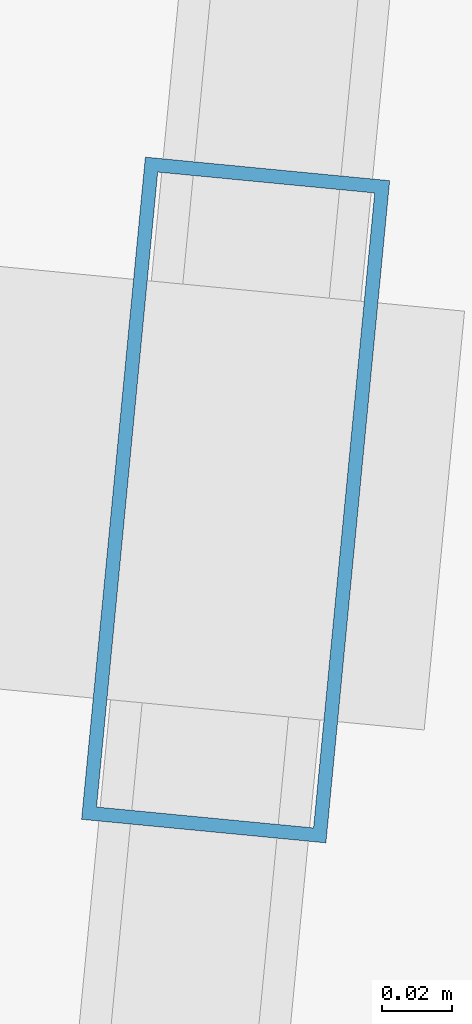
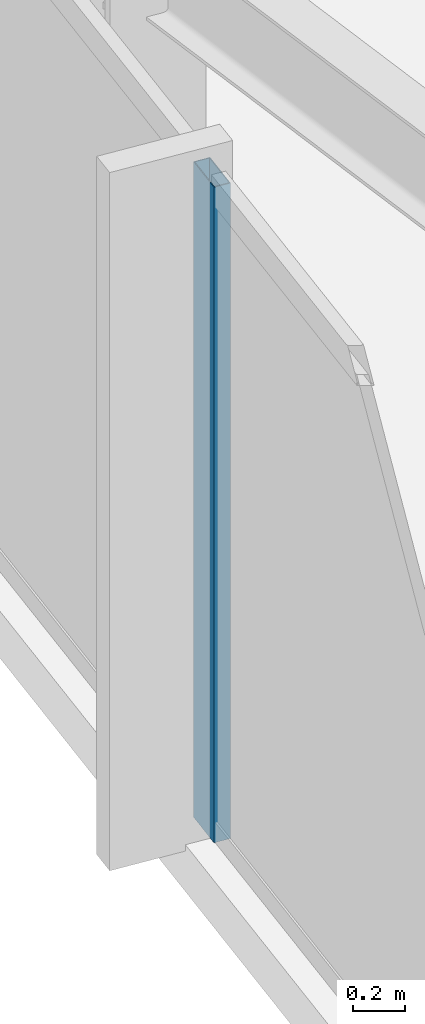
# One storey, part 4 of 36: 1 member, 1 element without a shape of its own.
"""IFC4 building model written with IfcOpenShell, lengths in metres."""

from ifc_helpers import new_model, si_unit, direction, frame, origin, origin_2d, place, context, subcontext, project, spatial, hollow_rectangle, extrude, material, material_profile, profile_set, type_object, element, aggregate, save


model = new_model("IFC4")

# Units and contexts
model_context = context("Model", 3, precision=1e-05, world=origin(), true_north=direction((0.0, 1.0)))
body_context = subcontext(model_context, "Body", "Model", "MODEL_VIEW")
ifc_project = project(units=[si_unit("LENGTHUNIT", "METRE"), si_unit("AREAUNIT", "SQUARE_METRE"), si_unit("VOLUMEUNIT", "CUBIC_METRE"), si_unit("PLANEANGLEUNIT", "RADIAN"), si_unit("MASSUNIT", "GRAM", prefix="KILO")], contexts=[model_context])

# Site, building, storey
site_placement = place(None, origin())
site = spatial("IfcSite", under=ifc_project, at=site_placement, CompositionType="ELEMENT")
building_placement = place(site_placement, origin())
building = spatial("IfcBuilding", under=site, at=building_placement, Name="Yelkora Congress Tower", CompositionType="ELEMENT")
storey_placement = place(building_placement, frame((0.0, 0.0, 152.300048828125)))
storey = spatial("IfcBuildingStorey", under=building, at=storey_placement, Name="L41", CompositionType="ELEMENT", Elevation=152.300048828125)

# Curtain wall, member
ifc_material_1 = material(Name="Anodised aluminium and insulated glass", Category="aluminium")
curtain_wall_type = type_object("IfcCurtainWallType", Name="CW-SYS-B3", PredefinedType="NOTDEFINED", material=ifc_material_1)
curtain_wall_placement = place(storey_placement, origin())
curtain_wall = element("IfcCurtainWall", 1, at=curtain_wall_placement, inside=storey, type_object=curtain_wall_type, Name="L41 Unitised Curtain Wall 5", PredefinedType="NOTDEFINED")
ifc_material_2 = material(Name="Anodised aluminium 6063-T6", Category="aluminium")
ifc_material_profile = material_profile(ifc_material_2, hollow_rectangle(XDim=0.070068359375, YDim=0.18994140625, WallThickness=0.00390625, at=origin_2d()), Name="ALU 70x190x4")
ifc_profile_set = profile_set([ifc_material_profile], Name="Anodised aluminium 6063-T6")
member_type = type_object("IfcMemberType", Name="MEM-ML-B3", PredefinedType="MULLION", material=ifc_profile_set)
member_placement = place(storey_placement, frame((1.9248046875, 22.962158203125, 0.0), z_axis=(0.0, 0.0, 1.0), x_axis=(-0.995396242473, 0.095845294465, 0.0)))
member = element("IfcMember", 2, at=member_placement, type_object=member_type, Name="CW-B3 mullion 2", PredefinedType="MULLION", context=body_context, shape_type="SweptSolid", body=[
    extrude(hollow_rectangle(XDim=0.070068359375, YDim=0.18994140625, WallThickness=0.00390625, at=origin_2d()), origin(), (0.0, 0.0, 1.0), 3.079833984375),
])
aggregate(curtain_wall, [member])

save(model, "model.ifc")
